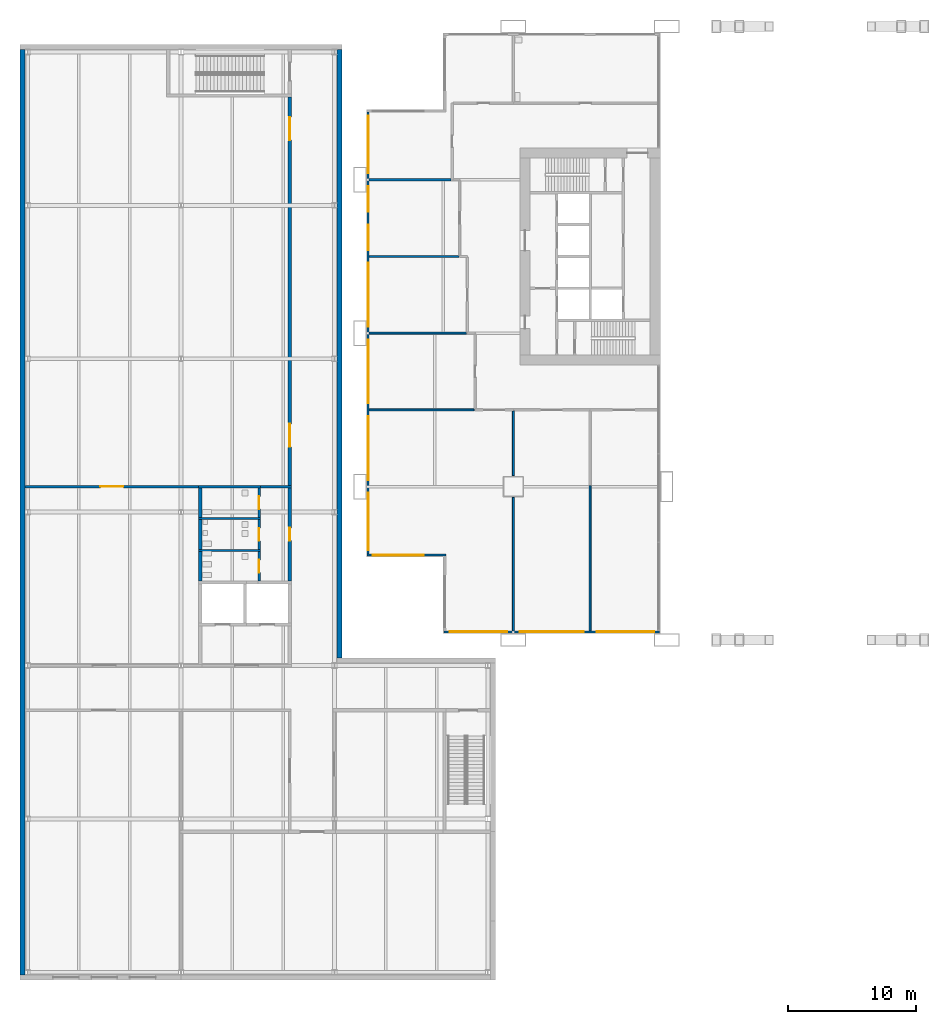
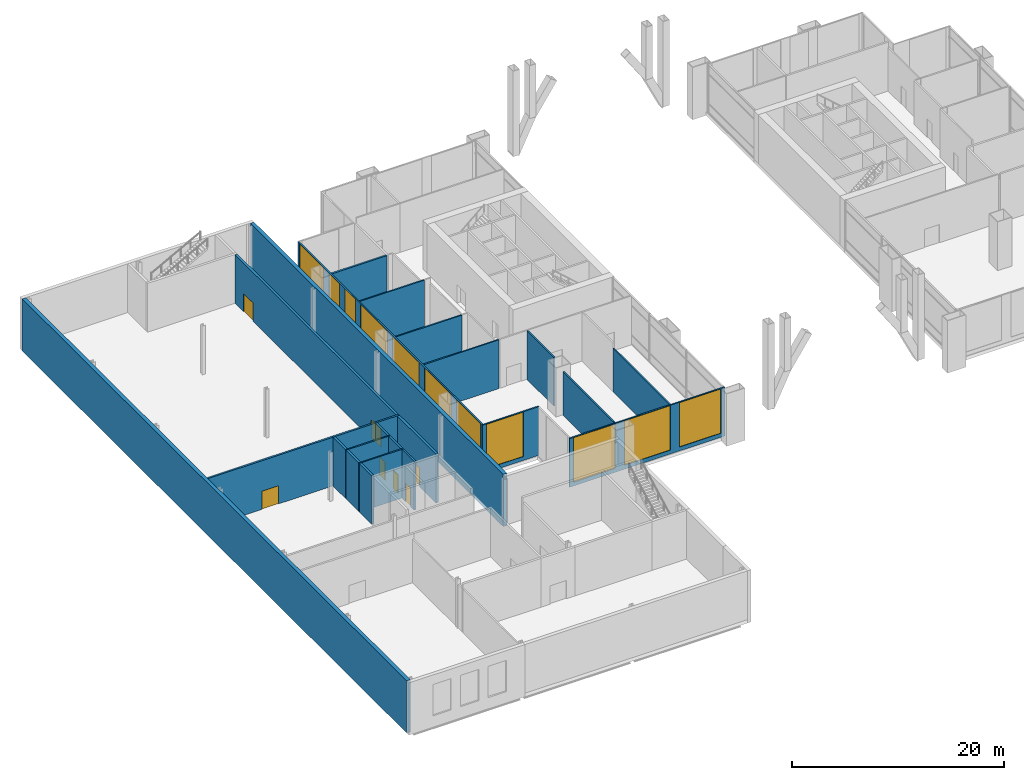
# One storey, part 17 of 25: 25 walls, 11 windows, 7 doors, 18 openings.
"""IFC4 building model written with IfcOpenShell, lengths in metres."""

from ifc_helpers import new_model, si_unit, direction, frame, frame_2d, origin, place, context, subcontext, project, spatial, rectangle, extrude, material, layer, layer_set, type_object, element, fill, save


model = new_model("IFC4")

# Units and contexts
model_context = context("Model", 3, precision=1e-05, world=origin(), true_north=direction((0.0, 1.0)))
body_context = subcontext(model_context, "Body", "Model", "MODEL_VIEW")
ifc_project = project(units=[si_unit("LENGTHUNIT", "METRE"), si_unit("AREAUNIT", "SQUARE_METRE"), si_unit("VOLUMEUNIT", "CUBIC_METRE"), si_unit("PLANEANGLEUNIT", "RADIAN"), si_unit("MASSUNIT", "GRAM", prefix="KILO")], contexts=[model_context])

# Site, building, storey
site_placement = place(None, origin())
site = spatial("IfcSite", under=ifc_project, at=site_placement, CompositionType="ELEMENT")
building_placement = place(site_placement, origin())
building = spatial("IfcBuilding", under=site, at=building_placement, Name="Kitamizu Gate Tower and Museum", CompositionType="ELEMENT")
storey_placement = place(building_placement, frame((0.0, 0.0, 12.0)))
storey = spatial("IfcBuildingStorey", under=building, at=storey_placement, Name="L02", CompositionType="ELEMENT", Elevation=12.0)

# Walls
ifc_material_1 = material(Name="Concrete Fc30 precast", Category="concrete")
ifc_layer_1 = layer(ifc_material_1, 0.39990234375)
ifc_layer_set_1 = layer_set([ifc_layer_1], Name="Concrete Fc30 precast")
wall_type_1 = type_object("IfcWallType", Name="Museum cladding wall 400", PredefinedType="STANDARD", material=ifc_layer_set_1)
wall_1_placement = place(storey_placement, frame((-26.39990234375, -26.199951171875, -0.39990234375), z_axis=(0.0, 0.0, 1.0), x_axis=(0.0, 1.0, 0.0)))
element("IfcWall", 1, at=wall_1_placement, inside=storey, type_object=wall_type_1, Name="Cladding wall L02.5", PredefinedType="STANDARD", context=body_context, shape_type="SweptSolid", body=[
    extrude(rectangle(XDim=72.39990234375, YDim=0.39990234375, at=frame_2d((36.199951171875, 0.0))), origin(), (0.0, 0.0, 1.0), 6.0),
])
wall_2_placement = place(storey_placement, frame((-1.60009765625, -1.39990234375, -0.39990234375), z_axis=(0.0, 0.0, 1.0), x_axis=(0.0, 1.0, 0.0)))
element("IfcWall", 2, at=wall_2_placement, inside=storey, type_object=wall_type_1, Name="Cladding wall L02.8", PredefinedType="STANDARD", context=body_context, shape_type="SweptSolid", body=[
    extrude(rectangle(XDim=47.599853515625, YDim=0.39990234375, at=frame_2d((23.7998046875, 0.0))), origin(), (0.0, 0.0, 1.0), 6.0),
])

# Wall, opening, door
ifc_material_2 = material(Name="Gypsum board on galvanised stud")
ifc_layer_2 = layer(ifc_material_2, 0.199951171875)
ifc_layer_set_2 = layer_set([ifc_layer_2], Name="Gypsum board on galvanised stud")
wall_type_2 = type_object("IfcWallType", Name="Museum fire rated partition 200", PredefinedType="PARTITIONING", material=ifc_layer_set_2)
wall_3_placement = place(storey_placement, frame((-7.89990234375, 9.574951171875, 0.0), z_axis=(0.0, 0.0, 1.0), x_axis=(0.0, 1.0, 0.0)))
wall_3 = element("IfcWall", 3, at=wall_3_placement, inside=storey, type_object=wall_type_2, Name="Fire-rated partition L02.35.1", PredefinedType="PARTITIONING", context=body_context, shape_type="SweptSolid", body=[
    extrude(rectangle(XDim=2.324951171875, YDim=0.199951171875, at=frame_2d((1.16259765625, 0.0))), origin(), (0.0, 0.0, 1.0), 5.60009765625),
])
opening_1_placement = place(wall_3_placement, frame((0.6630859375, 0.0, 0.0)))
opening_1 = element("IfcOpeningElement", 4, at=opening_1_placement, cuts=wall_3, Name="Opening MUS-L02-009", PredefinedType="OPENING", context=body_context, shape_type="SweptSolid", body=[
    extrude(rectangle(XDim=1.0, YDim=2.10009765625, at=frame_2d((0.5, 1.050048828125))), frame((0.0, 0.10986328125, 0.0), z_axis=(0.0, -1.0, 0.0), x_axis=(1.0, 0.0, 0.0)), (0.0, 0.0, 1.0), 0.219970703125),
])
ifc_material_3 = material(Name="Timber leaf in hollow metal frame", Category="wood")
door_type_1 = type_object("IfcDoorType", Name="Museum door 1000x2100 FD60", OperationType="NOTDEFINED", PredefinedType="DOOR", material=ifc_material_3)
door_1_placement = place(opening_1_placement, origin())
door_1 = element("IfcDoor", 5, at=door_1_placement, inside=storey, type_object=door_type_1, Name="Door Accessible WC", OperationType="SINGLE_SWING_RIGHT", OverallHeight=2.10009765625, OverallWidth=1.0, PredefinedType="DOOR", context=body_context, shape_type="SweptSolid", body=[
    extrude(rectangle(XDim=1.0, YDim=2.10009765625, at=frame_2d((0.5, 1.050048828125))), frame((0.0, 0.02490234375, 0.0), z_axis=(0.0, -1.0, 0.0), x_axis=(1.0, 0.0, 0.0)), (0.0, 0.0, 1.0), 0.050048828125),
])
fill(opening_1, door_1)

# Wall
wall_4_placement = place(storey_placement, frame((-7.800048828125, 12.0, 0.0), z_axis=(0.0, 0.0, 1.0), x_axis=(1.0, 0.0, 0.0)))
element("IfcWall", 6, at=wall_4_placement, inside=storey, type_object=wall_type_2, Name="Fire-rated partition L02.36.1", PredefinedType="PARTITIONING", context=body_context, shape_type="SweptSolid", body=[
    extrude(rectangle(XDim=2.425048828125, YDim=0.199951171875, at=frame_2d((1.21240234375, 0.0))), origin(), (0.0, 0.0, 1.0), 5.60009765625),
])

# Wall, opening, door
wall_5_placement = place(storey_placement, frame((-7.89990234375, 7.074951171875, 0.0), z_axis=(0.0, 0.0, 1.0), x_axis=(0.0, 1.0, 0.0)))
wall_5 = element("IfcWall", 7, at=wall_5_placement, inside=storey, type_object=wall_type_2, Name="Fire-rated partition L02.37.1", PredefinedType="PARTITIONING", context=body_context, shape_type="SweptSolid", body=[
    extrude(rectangle(XDim=2.35009765625, YDim=0.199951171875, at=frame_2d((1.175048828125, 0.0))), origin(), (0.0, 0.0, 1.0), 5.60009765625),
])
opening_2_placement = place(wall_5_placement, frame((0.675048828125, 0.0, 0.0)))
opening_2 = element("IfcOpeningElement", 8, at=opening_2_placement, cuts=wall_5, Name="Opening MUS-L02-008", PredefinedType="OPENING", context=body_context, shape_type="SweptSolid", body=[
    extrude(rectangle(XDim=1.0, YDim=2.10009765625, at=frame_2d((0.5, 1.050048828125))), frame((0.0, 0.10986328125, 0.0), z_axis=(0.0, -1.0, 0.0), x_axis=(1.0, 0.0, 0.0)), (0.0, 0.0, 1.0), 0.219970703125),
])
door_2_placement = place(opening_2_placement, origin())
door_2 = element("IfcDoor", 9, at=door_2_placement, inside=storey, type_object=door_type_1, Name="Door Men WC", OperationType="SINGLE_SWING_LEFT", OverallHeight=2.10009765625, OverallWidth=1.0, PredefinedType="DOOR", context=body_context, shape_type="SweptSolid", body=[
    extrude(rectangle(XDim=1.0, YDim=2.10009765625, at=frame_2d((0.5, 1.050048828125))), frame((0.0, 0.02490234375, 0.0), z_axis=(0.0, -1.0, 0.0), x_axis=(1.0, 0.0, 0.0)), (0.0, 0.0, 1.0), 0.050048828125),
])
fill(opening_2, door_2)

wall_6_placement = place(storey_placement, frame((-7.89990234375, 4.625, 0.0), z_axis=(0.0, 0.0, 1.0), x_axis=(0.0, 1.0, 0.0)))
wall_6 = element("IfcWall", 10, at=wall_6_placement, inside=storey, type_object=wall_type_2, Name="Fire-rated partition L02.38.1", PredefinedType="PARTITIONING", context=body_context, shape_type="SweptSolid", body=[
    extrude(rectangle(XDim=2.300048828125, YDim=0.199951171875, at=frame_2d((1.14990234375, 0.0))), origin(), (0.0, 0.0, 1.0), 5.60009765625),
])
opening_3_placement = place(wall_6_placement, frame((0.64990234375, 0.0, 0.0)))
opening_3 = element("IfcOpeningElement", 11, at=opening_3_placement, cuts=wall_6, Name="Opening MUS-L02-007", PredefinedType="OPENING", context=body_context, shape_type="SweptSolid", body=[
    extrude(rectangle(XDim=1.0, YDim=2.10009765625, at=frame_2d((0.5, 1.050048828125))), frame((0.0, 0.10986328125, 0.0), z_axis=(0.0, -1.0, 0.0), x_axis=(1.0, 0.0, 0.0)), (0.0, 0.0, 1.0), 0.219970703125),
])
door_3_placement = place(opening_3_placement, origin())
door_3 = element("IfcDoor", 12, at=door_3_placement, inside=storey, type_object=door_type_1, Name="Door Women WC", OperationType="SINGLE_SWING_RIGHT", OverallHeight=2.10009765625, OverallWidth=1.0, PredefinedType="DOOR", context=body_context, shape_type="SweptSolid", body=[
    extrude(rectangle(XDim=1.0, YDim=2.10009765625, at=frame_2d((0.5, 1.050048828125))), frame((0.0, 0.02490234375, 0.0), z_axis=(0.0, -1.0, 0.0), x_axis=(1.0, 0.0, 0.0)), (0.0, 0.0, 1.0), 0.050048828125),
])
fill(opening_3, door_3)

# Wall, openings, doors
ifc_material_4 = material(Name="Gypsum board on galvanised stud")
ifc_layer_3 = layer(ifc_material_4, 0.25)
ifc_layer_set_3 = layer_set([ifc_layer_3], Name="Gypsum board on galvanised stud")
wall_type_3 = type_object("IfcWallType", Name="Museum fire rated partition 250", PredefinedType="PARTITIONING", material=ifc_layer_set_3)
wall_7_placement = place(storey_placement, frame((-5.5, 12.10009765625, 0.0), z_axis=(0.0, 0.0, 1.0), x_axis=(0.0, 1.0, 0.0)))
wall_7 = element("IfcWall", 13, at=wall_7_placement, inside=storey, type_object=wall_type_3, Name="Fire-rated partition L02.3.1", PredefinedType="PARTITIONING", context=body_context, shape_type="SweptSolid", body=[
    extrude(rectangle(XDim=30.375, YDim=0.25, at=frame_2d((15.1875, 0.0))), origin(), (0.0, 0.0, 1.0), 5.60009765625),
])
opening_4_placement = place(wall_7_placement, frame((3.0, 0.0, 0.0)))
opening_4 = element("IfcOpeningElement", 14, at=opening_4_placement, cuts=wall_7, Name="Opening MUS-L02-016", PredefinedType="OPENING", context=body_context, shape_type="SweptSolid", body=[
    extrude(rectangle(XDim=1.800048828125, YDim=2.10009765625, at=frame_2d((0.89990234375, 1.050048828125))), frame((0.0, 0.135009765625, 0.0), z_axis=(0.0, -1.0, 0.0), x_axis=(1.0, 0.0, 0.0)), (0.0, 0.0, 1.0), 0.27001953125),
])
opening_5_placement = place(wall_7_placement, frame((27.0, 0.0, 0.0)))
opening_5 = element("IfcOpeningElement", 15, at=opening_5_placement, cuts=wall_7, Name="Opening MUS-L02-017", PredefinedType="OPENING", context=body_context, shape_type="SweptSolid", body=[
    extrude(rectangle(XDim=1.800048828125, YDim=2.10009765625, at=frame_2d((0.89990234375, 1.050048828125))), frame((0.0, 0.135009765625, 0.0), z_axis=(0.0, -1.0, 0.0), x_axis=(1.0, 0.0, 0.0)), (0.0, 0.0, 1.0), 0.27001953125),
])
ifc_material_5 = material(Name="Timber leaf in hollow metal frame", Category="wood")
door_type_2 = type_object("IfcDoorType", Name="Museum door 1800x2100 FD60", OperationType="DOUBLE_DOOR_SINGLE_SWING", PredefinedType="DOOR", material=ifc_material_5)
door_4_placement = place(opening_4_placement, origin())
door_4 = element("IfcDoor", 16, at=door_4_placement, inside=storey, type_object=door_type_2, Name="Door Auditorium", OperationType="DOUBLE_DOOR_SINGLE_SWING", OverallHeight=2.10009765625, OverallWidth=1.800048828125, PredefinedType="DOOR", context=body_context, shape_type="SweptSolid", body=[
    extrude(rectangle(XDim=1.800048828125, YDim=2.10009765625, at=frame_2d((0.89990234375, 1.050048828125))), frame((0.0, 0.02490234375, 0.0), z_axis=(0.0, -1.0, 0.0), x_axis=(1.0, 0.0, 0.0)), (0.0, 0.0, 1.0), 0.050048828125),
])
fill(opening_4, door_4)
door_5_placement = place(opening_5_placement, origin())
door_5 = element("IfcDoor", 17, at=door_5_placement, inside=storey, type_object=door_type_2, Name="Door Auditorium", OperationType="DOUBLE_DOOR_SINGLE_SWING", OverallHeight=2.10009765625, OverallWidth=1.800048828125, PredefinedType="DOOR", context=body_context, shape_type="SweptSolid", body=[
    extrude(rectangle(XDim=1.800048828125, YDim=2.10009765625, at=frame_2d((0.89990234375, 1.050048828125))), frame((0.0, 0.02490234375, 0.0), z_axis=(0.0, -1.0, 0.0), x_axis=(1.0, 0.0, 0.0)), (0.0, 0.0, 1.0), 0.050048828125),
])
fill(opening_5, door_5)

# Wall, opening, door
wall_8_placement = place(storey_placement, frame((-5.5, 4.625, 0.0), z_axis=(0.0, 0.0, 1.0), x_axis=(0.0, 1.0, 0.0)))
wall_8 = element("IfcWall", 18, at=wall_8_placement, inside=storey, type_object=wall_type_3, Name="Fire-rated partition L02.14.1", PredefinedType="PARTITIONING", context=body_context, shape_type="SweptSolid", body=[
    extrude(rectangle(XDim=7.27490234375, YDim=0.25, at=frame_2d((3.637451171875, 0.0))), origin(), (0.0, 0.0, 1.0), 5.60009765625),
])
opening_6_placement = place(wall_8_placement, frame((3.137939453125, 0.0, 0.0)))
opening_6 = element("IfcOpeningElement", 19, at=opening_6_placement, cuts=wall_8, Name="Opening MUS-L02-006", PredefinedType="OPENING", context=body_context, shape_type="SweptSolid", body=[
    extrude(rectangle(XDim=1.0, YDim=2.10009765625, at=frame_2d((0.5, 1.050048828125))), frame((0.0, 0.135009765625, 0.0), z_axis=(0.0, -1.0, 0.0), x_axis=(1.0, 0.0, 0.0)), (0.0, 0.0, 1.0), 0.27001953125),
])
door_6_placement = place(opening_6_placement, origin())
door_6 = element("IfcDoor", 20, at=door_6_placement, inside=storey, type_object=door_type_1, Name="Door WC lobby", OperationType="SINGLE_SWING_LEFT", OverallHeight=2.10009765625, OverallWidth=1.0, PredefinedType="DOOR", context=body_context, shape_type="SweptSolid", body=[
    extrude(rectangle(XDim=1.0, YDim=2.10009765625, at=frame_2d((0.5, 1.050048828125))), frame((0.0, 0.02490234375, 0.0), z_axis=(0.0, -1.0, 0.0), x_axis=(1.0, 0.0, 0.0)), (0.0, 0.0, 1.0), 0.050048828125),
])
fill(opening_6, door_6)

# Walls
ifc_material_6 = material(Name="Gypsum board on galvanised stud")
ifc_layer_4 = layer(ifc_material_6, 0.14990234375)
ifc_layer_set_4 = layer_set([ifc_layer_4], Name="Gypsum board on galvanised stud")
wall_type_4 = type_object("IfcWallType", Name="Museum partition 150", PredefinedType="PARTITIONING", material=ifc_layer_set_4)
for number, where, z_axis, x_axis, name in (
    (21, (-12.625, 9.5, 0.0), (0.0, 0.0, 1.0), (1.0, 0.0, 0.0), "Partition L02.21.1"),
    (22, (-12.625, 7.0, 0.0), (0.0, 0.0, 1.0), (1.0, 0.0, 0.0), "Partition L02.40.1"),
):
    element("IfcWall", number, at=place(storey_placement, frame(where, z_axis=z_axis, x_axis=x_axis)), inside=storey, type_object=wall_type_4, Name=name, PredefinedType="PARTITIONING", context=body_context, shape_type="SweptSolid", body=[
        extrude(rectangle(XDim=4.824951171875, YDim=0.14990234375, at=frame_2d((2.41259765625, 0.0))), origin(), (0.0, 0.0, 1.0), 5.60009765625),
    ])
ifc_material_7 = material(Name="Gypsum board on galvanised stud")
ifc_layer_5 = layer(ifc_material_7, 0.199951171875)
ifc_layer_set_5 = layer_set([ifc_layer_5], Name="Gypsum board on galvanised stud")
wall_type_5 = type_object("IfcWallType", Name="Museum partition 200", PredefinedType="PARTITIONING", material=ifc_layer_set_5)
wall_9_placement = place(storey_placement, frame((-12.625, 12.0, 0.0), z_axis=(0.0, 0.0, 1.0), x_axis=(1.0, 0.0, 0.0)))
element("IfcWall", 23, at=wall_9_placement, inside=storey, type_object=wall_type_5, Name="Partition L02.0.1", PredefinedType="PARTITIONING", context=body_context, shape_type="SweptSolid", body=[
    extrude(rectangle(XDim=4.824951171875, YDim=0.199951171875, at=frame_2d((2.41259765625, 0.0))), origin(), (0.0, 0.0, 1.0), 5.60009765625),
])

# Wall, opening, door
wall_10_placement = place(storey_placement, frame((-26.199951171875, 12.0, 0.0), z_axis=(0.0, 0.0, 1.0), x_axis=(1.0, 0.0, 0.0)))
wall_10 = element("IfcWall", 24, at=wall_10_placement, inside=storey, type_object=wall_type_5, Name="Partition L02.2.1", PredefinedType="PARTITIONING", context=body_context, shape_type="SweptSolid", body=[
    extrude(rectangle(XDim=13.574951171875, YDim=0.199951171875, at=frame_2d((6.78759765625, 0.0))), origin(), (0.0, 0.0, 1.0), 5.60009765625),
])
opening_7_placement = place(wall_10_placement, frame((5.886962890625, 0.0, 0.0)))
opening_7 = element("IfcOpeningElement", 25, at=opening_7_placement, cuts=wall_10, Name="Opening MUS-L02-015", PredefinedType="OPENING", context=body_context, shape_type="SweptSolid", body=[
    extrude(rectangle(XDim=1.800048828125, YDim=2.10009765625, at=frame_2d((0.89990234375, 1.050048828125))), frame((0.0, 0.10986328125, 0.0), z_axis=(0.0, -1.0, 0.0), x_axis=(1.0, 0.0, 0.0)), (0.0, 0.0, 1.0), 0.219970703125),
])
ifc_material_8 = material(Name="Timber leaf in hollow metal frame", Category="wood")
door_type_3 = type_object("IfcDoorType", Name="Museum door 1800x2100", OperationType="DOUBLE_DOOR_SINGLE_SWING", PredefinedType="DOOR", material=ifc_material_8)
door_7_placement = place(opening_7_placement, origin())
door_7 = element("IfcDoor", 26, at=door_7_placement, inside=storey, type_object=door_type_3, Name="Door Auditorium foyer", OperationType="DOUBLE_DOOR_SINGLE_SWING", OverallHeight=2.10009765625, OverallWidth=1.800048828125, PredefinedType="DOOR", context=body_context, shape_type="SweptSolid", body=[
    extrude(rectangle(XDim=1.800048828125, YDim=2.10009765625, at=frame_2d((0.89990234375, 1.050048828125))), frame((0.0, 0.02490234375, 0.0), z_axis=(0.0, -1.0, 0.0), x_axis=(1.0, 0.0, 0.0)), (0.0, 0.0, 1.0), 0.050048828125),
])
fill(opening_7, door_7)

# Walls
ifc_material_9 = material(Name="Gypsum board on galvanised stud")
ifc_layer_6 = layer(ifc_material_9, 0.25)
ifc_layer_set_6 = layer_set([ifc_layer_6], Name="Gypsum board on galvanised stud")
wall_type_6 = type_object("IfcWallType", Name="Museum partition 250", PredefinedType="PARTITIONING", material=ifc_layer_set_6)
wall_11_placement = place(storey_placement, frame((-12.5, 9.574951171875, 0.0), z_axis=(0.0, 0.0, 1.0), x_axis=(0.0, 1.0, 0.0)))
element("IfcWall", 27, at=wall_11_placement, inside=storey, type_object=wall_type_6, Name="Partition L02.1.1", PredefinedType="PARTITIONING", context=body_context, shape_type="SweptSolid", body=[
    extrude(rectangle(XDim=2.324951171875, YDim=0.25, at=frame_2d((1.16259765625, 0.0))), origin(), (0.0, 0.0, 1.0), 5.60009765625),
])
wall_12_placement = place(storey_placement, frame((-12.5, 7.074951171875, 0.0), z_axis=(0.0, 0.0, 1.0), x_axis=(0.0, 1.0, 0.0)))
element("IfcWall", 28, at=wall_12_placement, inside=storey, type_object=wall_type_6, Name="Partition L02.22.1", PredefinedType="PARTITIONING", context=body_context, shape_type="SweptSolid", body=[
    extrude(rectangle(XDim=2.35009765625, YDim=0.25, at=frame_2d((1.175048828125, 0.0))), origin(), (0.0, 0.0, 1.0), 5.60009765625),
])
wall_13_placement = place(storey_placement, frame((-12.5, 4.625, 0.0), z_axis=(0.0, 0.0, 1.0), x_axis=(0.0, 1.0, 0.0)))
element("IfcWall", 29, at=wall_13_placement, inside=storey, type_object=wall_type_6, Name="Partition L02.39.1", PredefinedType="PARTITIONING", context=body_context, shape_type="SweptSolid", body=[
    extrude(rectangle(XDim=2.300048828125, YDim=0.25, at=frame_2d((1.14990234375, 0.0))), origin(), (0.0, 0.0, 1.0), 5.60009765625),
])
ifc_material_10 = material(Name="Gypsum board on galvanised stud")
ifc_layer_7 = layer(ifc_material_10, 0.14990234375)
ifc_layer_set_7 = layer_set([ifc_layer_7], Name="Gypsum board on galvanised stud")
wall_type_7 = type_object("IfcWallType", Name="Partition 150", PredefinedType="PARTITIONING", material=ifc_layer_set_7)
wall_14_placement = place(storey_placement, frame((12.0, 0.719970703125, 0.0), z_axis=(0.0, 0.0, 1.0), x_axis=(0.0, 1.0, 0.0)))
element("IfcWall", 30, at=wall_14_placement, inside=storey, type_object=wall_type_7, Name="Partition L02-031", PredefinedType="PARTITIONING", context=body_context, shape_type="SweptSolid", body=[
    extrude(rectangle(XDim=10.429931640625, YDim=0.14990234375, at=frame_2d((5.21484375, 0.0))), origin(), (0.0, 0.0, 1.0), 5.0),
])
wall_15_placement = place(storey_placement, frame((12.0, 12.85009765625, 0.0), z_axis=(0.0, 0.0, 1.0), x_axis=(0.0, 1.0, 0.0)))
element("IfcWall", 31, at=wall_15_placement, inside=storey, type_object=wall_type_7, Name="Partition L02-032", PredefinedType="PARTITIONING", context=body_context, shape_type="SweptSolid", body=[
    extrude(rectangle(XDim=5.074951171875, YDim=0.14990234375, at=frame_2d((2.53759765625, 0.0))), origin(), (0.0, 0.0, 1.0), 5.60009765625),
])
wall_16_placement = place(storey_placement, frame((8.925048828125, 18.0, 0.0), z_axis=(0.0, 0.0, 1.0), x_axis=(-1.0, 0.0, 0.0)))
element("IfcWall", 32, at=wall_16_placement, inside=storey, type_object=wall_type_7, Name="Partition L02-033", PredefinedType="PARTITIONING", context=body_context, shape_type="SweptSolid", body=[
    extrude(rectangle(XDim=8.205078125, YDim=0.14990234375, at=frame_2d((4.1025390625, 0.0))), origin(), (0.0, 0.0, 1.0), 5.60009765625),
])
wall_17_placement = place(storey_placement, frame((18.0, 0.719970703125, 0.0), z_axis=(0.0, 0.0, 1.0), x_axis=(0.0, 1.0, 0.0)))
element("IfcWall", 33, at=wall_17_placement, inside=storey, type_object=wall_type_7, Name="Partition L02-034", PredefinedType="PARTITIONING", context=body_context, shape_type="SweptSolid", body=[
    extrude(rectangle(XDim=11.380126953125, YDim=0.14990234375, at=frame_2d((5.68994140625, 0.0))), origin(), (0.0, 0.0, 1.0), 5.0),
])
wall_18_placement = place(storey_placement, frame((8.324951171875, 24.0, 0.0), z_axis=(0.0, 0.0, 1.0), x_axis=(-1.0, 0.0, 0.0)))
element("IfcWall", 34, at=wall_18_placement, inside=storey, type_object=wall_type_7, Name="Partition L02-036", PredefinedType="PARTITIONING", context=body_context, shape_type="SweptSolid", body=[
    extrude(rectangle(XDim=7.60498046875, YDim=0.14990234375, at=frame_2d((3.802490234375, 0.0))), origin(), (0.0, 0.0, 1.0), 5.0),
])
wall_19_placement = place(storey_placement, frame((7.72509765625, 30.0, 0.0), z_axis=(0.0, 0.0, 1.0), x_axis=(-1.0, 0.0, 0.0)))
element("IfcWall", 35, at=wall_19_placement, inside=storey, type_object=wall_type_7, Name="Partition L02-037", PredefinedType="PARTITIONING", context=body_context, shape_type="SweptSolid", body=[
    extrude(rectangle(XDim=7.005126953125, YDim=0.14990234375, at=frame_2d((3.50244140625, 0.0))), origin(), (0.0, 0.0, 1.0), 5.60009765625),
])
ifc_material_11 = material(Name="Gypsum board on galvanised stud")
ifc_layer_8 = layer(ifc_material_11, 0.199951171875)
ifc_layer_set_8 = layer_set([ifc_layer_8], Name="Gypsum board on galvanised stud")
wall_type_8 = type_object("IfcWallType", Name="Partition 200", PredefinedType="PARTITIONING", material=ifc_layer_set_8)
wall_20_placement = place(storey_placement, frame((7.10009765625, 36.0, 0.0), z_axis=(0.0, 0.0, 1.0), x_axis=(-1.0, 0.0, 0.0)))
element("IfcWall", 36, at=wall_20_placement, inside=storey, type_object=wall_type_8, Name="Partition L02-038", PredefinedType="PARTITIONING", context=body_context, shape_type="SweptSolid", body=[
    extrude(rectangle(XDim=6.380126953125, YDim=0.199951171875, at=frame_2d((3.18994140625, 0.0))), origin(), (0.0, 0.0, 1.0), 5.0),
])

# Wall, openings, windows
ifc_material_12 = material(Name="Bronze anodised aluminium frame with insulated spandrel and tinted glass", Category="aluminium")
ifc_layer_9 = layer(ifc_material_12, 0.14990234375)
ifc_layer_set_9 = layer_set([ifc_layer_9], Name="Bronze anodised aluminium frame with insulated spandrel and tinted glass")
wall_type_9 = type_object("IfcWallType", Name="WINDOW WALL 150 BRONZE FRAME EI 60", PredefinedType="ELEMENTEDWALL", material=ifc_layer_set_9)
wall_21_placement = place(storey_placement, frame((6.56005859375, 0.635009765625, 0.0), z_axis=(0.0, 0.0, 1.0), x_axis=(1.0, 0.0, 0.0)))
wall_21 = element("IfcWall", 37, at=wall_21_placement, inside=storey, type_object=wall_type_9, Name="Window wall south L02", PredefinedType="ELEMENTEDWALL", context=body_context, shape_type="SweptSolid", body=[
    extrude(rectangle(XDim=16.8798828125, YDim=0.14990234375, at=frame_2d((8.43994140625, 0.0))), origin(), (0.0, 0.0, 1.0), 5.60009765625),
])
opening_8_placement = place(wall_21_placement, frame((0.43994140625, 0.0, 0.449951171875)))
opening_8 = element("IfcOpeningElement", 38, at=opening_8_placement, cuts=wall_21, Name="Opening W21", PredefinedType="OPENING", context=body_context, shape_type="SweptSolid", body=[
    extrude(rectangle(XDim=4.5, YDim=5.10009765625, at=frame_2d((2.25, 2.550048828125))), frame((0.0, 0.0849609375, 0.0), z_axis=(0.0, -1.0, 0.0), x_axis=(1.0, 0.0, 0.0)), (0.0, 0.0, 1.0), 0.169921875),
])
opening_9_placement = place(wall_21_placement, frame((5.93994140625, 0.0, 0.449951171875)))
opening_9 = element("IfcOpeningElement", 39, at=opening_9_placement, cuts=wall_21, Name="Opening W7", PredefinedType="OPENING", context=body_context, shape_type="SweptSolid", body=[
    extrude(rectangle(XDim=5.0, YDim=5.10009765625, at=frame_2d((2.5, 2.550048828125))), frame((0.0, 0.0849609375, 0.0), z_axis=(0.0, -1.0, 0.0), x_axis=(1.0, 0.0, 0.0)), (0.0, 0.0, 1.0), 0.169921875),
])
opening_10_placement = place(wall_21_placement, frame((11.93994140625, 0.0, 0.449951171875)))
opening_10 = element("IfcOpeningElement", 40, at=opening_10_placement, cuts=wall_21, Name="Opening W21", PredefinedType="OPENING", context=body_context, shape_type="SweptSolid", body=[
    extrude(rectangle(XDim=4.5, YDim=5.10009765625, at=frame_2d((2.25, 2.550048828125))), frame((0.0, 0.0849609375, 0.0), z_axis=(0.0, -1.0, 0.0), x_axis=(1.0, 0.0, 0.0)), (0.0, 0.0, 1.0), 0.169921875),
])
ifc_material_13 = material(Name="Bronze anodised aluminium frame, tinted triple glazing", Category="aluminium")
window_type_1 = type_object("IfcWindowType", Name="WINDOW 4500 x 5100 SILL 450", PartitioningType="SINGLE_PANEL", PredefinedType="WINDOW", material=ifc_material_13)
window_1_placement = place(opening_8_placement, origin())
window_1 = element("IfcWindow", 41, at=window_1_placement, inside=storey, type_object=window_type_1, Name="Window W21 L02", OverallHeight=5.10009765625, OverallWidth=4.5, PartitioningType="SINGLE_PANEL", PredefinedType="WINDOW", context=body_context, shape_type="SweptSolid", body=[
    extrude(rectangle(XDim=4.5, YDim=5.10009765625, at=frame_2d((2.25, 2.550048828125))), frame((0.0, 0.030029296875, 0.0), z_axis=(0.0, -1.0, 0.0), x_axis=(1.0, 0.0, 0.0)), (0.0, 0.0, 1.0), 0.06005859375),
])
fill(opening_8, window_1)
window_2_placement = place(opening_10_placement, origin())
window_2 = element("IfcWindow", 42, at=window_2_placement, inside=storey, type_object=window_type_1, Name="Window W21 L02", OverallHeight=5.10009765625, OverallWidth=4.5, PartitioningType="SINGLE_PANEL", PredefinedType="WINDOW", context=body_context, shape_type="SweptSolid", body=[
    extrude(rectangle(XDim=4.5, YDim=5.10009765625, at=frame_2d((2.25, 2.550048828125))), frame((0.0, 0.030029296875, 0.0), z_axis=(0.0, -1.0, 0.0), x_axis=(1.0, 0.0, 0.0)), (0.0, 0.0, 1.0), 0.06005859375),
])
fill(opening_10, window_2)
ifc_material_14 = material(Name="Bronze anodised aluminium frame, tinted triple glazing", Category="aluminium")
window_type_2 = type_object("IfcWindowType", Name="WINDOW 5000 x 5100 SILL 450", PartitioningType="SINGLE_PANEL", PredefinedType="WINDOW", material=ifc_material_14)
window_3_placement = place(opening_9_placement, origin())
window_3 = element("IfcWindow", 43, at=window_3_placement, inside=storey, type_object=window_type_2, Name="Window W7 L02", OverallHeight=5.10009765625, OverallWidth=5.0, PartitioningType="SINGLE_PANEL", PredefinedType="WINDOW", context=body_context, shape_type="SweptSolid", body=[
    extrude(rectangle(XDim=5.0, YDim=5.10009765625, at=frame_2d((2.5, 2.550048828125))), frame((0.0, 0.030029296875, 0.0), z_axis=(0.0, -1.0, 0.0), x_axis=(1.0, 0.0, 0.0)), (0.0, 0.0, 1.0), 0.06005859375),
])
fill(opening_9, window_3)

wall_22_placement = place(storey_placement, frame((0.635009765625, 6.7099609375, 0.0), z_axis=(0.0, 0.0, 1.0), x_axis=(0.0, 1.0, 0.0)))
wall_22 = element("IfcWall", 44, at=wall_22_placement, inside=storey, type_object=wall_type_9, Name="Window wall west L02", PredefinedType="ELEMENTEDWALL", context=body_context, shape_type="SweptSolid", body=[
    extrude(rectangle(XDim=34.580078125, YDim=0.14990234375, at=frame_2d((17.2900390625, 0.0))), origin(), (0.0, 0.0, 1.0), 5.60009765625),
])
opening_11_placement = place(wall_22_placement, frame((0.2900390625, 0.0, 0.449951171875)))
opening_11 = element("IfcOpeningElement", 45, at=opening_11_placement, cuts=wall_22, Name="Opening W21", PredefinedType="OPENING", context=body_context, shape_type="SweptSolid", body=[
    extrude(rectangle(XDim=4.5, YDim=5.10009765625, at=frame_2d((2.25, 2.550048828125))), frame((0.0, 0.0849609375, 0.0), z_axis=(0.0, -1.0, 0.0), x_axis=(1.0, 0.0, 0.0)), (0.0, 0.0, 1.0), 0.169921875),
])
opening_12_placement = place(wall_22_placement, frame((5.7900390625, 0.0, 0.449951171875)))
opening_12 = element("IfcOpeningElement", 46, at=opening_12_placement, cuts=wall_22, Name="Opening W7", PredefinedType="OPENING", context=body_context, shape_type="SweptSolid", body=[
    extrude(rectangle(XDim=5.0, YDim=5.10009765625, at=frame_2d((2.5, 2.550048828125))), frame((0.0, 0.0849609375, 0.0), z_axis=(0.0, -1.0, 0.0), x_axis=(1.0, 0.0, 0.0)), (0.0, 0.0, 1.0), 0.169921875),
])
opening_13_placement = place(wall_22_placement, frame((11.7900390625, 0.0, 0.449951171875)))
opening_13 = element("IfcOpeningElement", 47, at=opening_13_placement, cuts=wall_22, Name="Opening W7", PredefinedType="OPENING", context=body_context, shape_type="SweptSolid", body=[
    extrude(rectangle(XDim=5.0, YDim=5.10009765625, at=frame_2d((2.5, 2.550048828125))), frame((0.0, 0.0849609375, 0.0), z_axis=(0.0, -1.0, 0.0), x_axis=(1.0, 0.0, 0.0)), (0.0, 0.0, 1.0), 0.169921875),
])
opening_14_placement = place(wall_22_placement, frame((17.7900390625, 0.0, 0.449951171875)))
opening_14 = element("IfcOpeningElement", 48, at=opening_14_placement, cuts=wall_22, Name="Opening W7", PredefinedType="OPENING", context=body_context, shape_type="SweptSolid", body=[
    extrude(rectangle(XDim=5.0, YDim=5.10009765625, at=frame_2d((2.5, 2.550048828125))), frame((0.0, 0.0849609375, 0.0), z_axis=(0.0, -1.0, 0.0), x_axis=(1.0, 0.0, 0.0)), (0.0, 0.0, 1.0), 0.169921875),
])
opening_15_placement = place(wall_22_placement, frame((23.7900390625, 0.0, 0.449951171875)))
opening_15 = element("IfcOpeningElement", 49, at=opening_15_placement, cuts=wall_22, Name="Opening W8", PredefinedType="OPENING", context=body_context, shape_type="SweptSolid", body=[
    extrude(rectangle(XDim=2.0, YDim=5.10009765625, at=frame_2d((1.0, 2.550048828125))), frame((0.0, 0.0849609375, 0.0), z_axis=(0.0, -1.0, 0.0), x_axis=(1.0, 0.0, 0.0)), (0.0, 0.0, 1.0), 0.169921875),
])
opening_16_placement = place(wall_22_placement, frame((26.7900390625, 0.0, 0.449951171875)))
opening_16 = element("IfcOpeningElement", 50, at=opening_16_placement, cuts=wall_22, Name="Opening W8", PredefinedType="OPENING", context=body_context, shape_type="SweptSolid", body=[
    extrude(rectangle(XDim=2.0, YDim=5.10009765625, at=frame_2d((1.0, 2.550048828125))), frame((0.0, 0.0849609375, 0.0), z_axis=(0.0, -1.0, 0.0), x_axis=(1.0, 0.0, 0.0)), (0.0, 0.0, 1.0), 0.169921875),
])
opening_17_placement = place(wall_22_placement, frame((29.7900390625, 0.0, 0.449951171875)))
opening_17 = element("IfcOpeningElement", 51, at=opening_17_placement, cuts=wall_22, Name="Opening W21", PredefinedType="OPENING", context=body_context, shape_type="SweptSolid", body=[
    extrude(rectangle(XDim=4.5, YDim=5.10009765625, at=frame_2d((2.25, 2.550048828125))), frame((0.0, 0.0849609375, 0.0), z_axis=(0.0, -1.0, 0.0), x_axis=(1.0, 0.0, 0.0)), (0.0, 0.0, 1.0), 0.169921875),
])
ifc_material_15 = material(Name="Bronze anodised aluminium frame, tinted triple glazing", Category="aluminium")
window_type_3 = type_object("IfcWindowType", Name="WINDOW 2000 x 5100 SILL 450", PartitioningType="SINGLE_PANEL", PredefinedType="WINDOW", material=ifc_material_15)
window_4_placement = place(opening_15_placement, origin())
window_4 = element("IfcWindow", 52, at=window_4_placement, inside=storey, type_object=window_type_3, Name="Window W8 L02", OverallHeight=5.10009765625, OverallWidth=2.0, PartitioningType="SINGLE_PANEL", PredefinedType="WINDOW", context=body_context, shape_type="SweptSolid", body=[
    extrude(rectangle(XDim=2.0, YDim=5.10009765625, at=frame_2d((1.0, 2.550048828125))), frame((0.0, 0.030029296875, 0.0), z_axis=(0.0, -1.0, 0.0), x_axis=(1.0, 0.0, 0.0)), (0.0, 0.0, 1.0), 0.06005859375),
])
fill(opening_15, window_4)
window_5_placement = place(opening_16_placement, origin())
window_5 = element("IfcWindow", 53, at=window_5_placement, inside=storey, type_object=window_type_3, Name="Window W8 L02", OverallHeight=5.10009765625, OverallWidth=2.0, PartitioningType="SINGLE_PANEL", PredefinedType="WINDOW", context=body_context, shape_type="SweptSolid", body=[
    extrude(rectangle(XDim=2.0, YDim=5.10009765625, at=frame_2d((1.0, 2.550048828125))), frame((0.0, 0.030029296875, 0.0), z_axis=(0.0, -1.0, 0.0), x_axis=(1.0, 0.0, 0.0)), (0.0, 0.0, 1.0), 0.06005859375),
])
fill(opening_16, window_5)
window_6_placement = place(opening_11_placement, origin())
window_6 = element("IfcWindow", 54, at=window_6_placement, inside=storey, type_object=window_type_1, Name="Window W21 L02", OverallHeight=5.10009765625, OverallWidth=4.5, PartitioningType="SINGLE_PANEL", PredefinedType="WINDOW", context=body_context, shape_type="SweptSolid", body=[
    extrude(rectangle(XDim=4.5, YDim=5.10009765625, at=frame_2d((2.25, 2.550048828125))), frame((0.0, 0.030029296875, 0.0), z_axis=(0.0, -1.0, 0.0), x_axis=(1.0, 0.0, 0.0)), (0.0, 0.0, 1.0), 0.06005859375),
])
fill(opening_11, window_6)
window_7_placement = place(opening_17_placement, origin())
window_7 = element("IfcWindow", 55, at=window_7_placement, inside=storey, type_object=window_type_1, Name="Window W21 L02", OverallHeight=5.10009765625, OverallWidth=4.5, PartitioningType="SINGLE_PANEL", PredefinedType="WINDOW", context=body_context, shape_type="SweptSolid", body=[
    extrude(rectangle(XDim=4.5, YDim=5.10009765625, at=frame_2d((2.25, 2.550048828125))), frame((0.0, 0.030029296875, 0.0), z_axis=(0.0, -1.0, 0.0), x_axis=(1.0, 0.0, 0.0)), (0.0, 0.0, 1.0), 0.06005859375),
])
fill(opening_17, window_7)
window_8_placement = place(opening_12_placement, origin())
window_8 = element("IfcWindow", 56, at=window_8_placement, inside=storey, type_object=window_type_2, Name="Window W7 L02", OverallHeight=5.10009765625, OverallWidth=5.0, PartitioningType="SINGLE_PANEL", PredefinedType="WINDOW", context=body_context, shape_type="SweptSolid", body=[
    extrude(rectangle(XDim=5.0, YDim=5.10009765625, at=frame_2d((2.5, 2.550048828125))), frame((0.0, 0.030029296875, 0.0), z_axis=(0.0, -1.0, 0.0), x_axis=(1.0, 0.0, 0.0)), (0.0, 0.0, 1.0), 0.06005859375),
])
fill(opening_12, window_8)
window_9_placement = place(opening_13_placement, origin())
window_9 = element("IfcWindow", 57, at=window_9_placement, inside=storey, type_object=window_type_2, Name="Window W7 L02", OverallHeight=5.10009765625, OverallWidth=5.0, PartitioningType="SINGLE_PANEL", PredefinedType="WINDOW", context=body_context, shape_type="SweptSolid", body=[
    extrude(rectangle(XDim=5.0, YDim=5.10009765625, at=frame_2d((2.5, 2.550048828125))), frame((0.0, 0.030029296875, 0.0), z_axis=(0.0, -1.0, 0.0), x_axis=(1.0, 0.0, 0.0)), (0.0, 0.0, 1.0), 0.06005859375),
])
fill(opening_13, window_9)
window_10_placement = place(opening_14_placement, origin())
window_10 = element("IfcWindow", 58, at=window_10_placement, inside=storey, type_object=window_type_2, Name="Window W7 L02", OverallHeight=5.10009765625, OverallWidth=5.0, PartitioningType="SINGLE_PANEL", PredefinedType="WINDOW", context=body_context, shape_type="SweptSolid", body=[
    extrude(rectangle(XDim=5.0, YDim=5.10009765625, at=frame_2d((2.5, 2.550048828125))), frame((0.0, 0.030029296875, 0.0), z_axis=(0.0, -1.0, 0.0), x_axis=(1.0, 0.0, 0.0)), (0.0, 0.0, 1.0), 0.06005859375),
])
fill(opening_14, window_10)

# Wall, opening, window
wall_23_placement = place(storey_placement, frame((0.56005859375, 6.635009765625, 0.0), z_axis=(0.0, 0.0, 1.0), x_axis=(1.0, 0.0, 0.0)))
wall_23 = element("IfcWall", 59, at=wall_23_placement, inside=storey, type_object=wall_type_9, Name="Window wall south L02", PredefinedType="ELEMENTEDWALL", context=body_context, shape_type="SweptSolid", body=[
    extrude(rectangle(XDim=6.14990234375, YDim=0.14990234375, at=frame_2d((3.074951171875, 0.0))), origin(), (0.0, 0.0, 1.0), 5.60009765625),
])
opening_18_placement = place(wall_23_placement, frame((0.43994140625, 0.0, 0.449951171875)))
opening_18 = element("IfcOpeningElement", 60, at=opening_18_placement, cuts=wall_23, Name="Opening W22", PredefinedType="OPENING", context=body_context, shape_type="SweptSolid", body=[
    extrude(rectangle(XDim=4.0, YDim=5.10009765625, at=frame_2d((2.0, 2.550048828125))), frame((0.0, 0.0849609375, 0.0), z_axis=(0.0, -1.0, 0.0), x_axis=(1.0, 0.0, 0.0)), (0.0, 0.0, 1.0), 0.169921875),
])
ifc_material_16 = material(Name="Bronze anodised aluminium frame, tinted triple glazing", Category="aluminium")
window_type_4 = type_object("IfcWindowType", Name="WINDOW 4000 x 5100 SILL 450", PartitioningType="SINGLE_PANEL", PredefinedType="WINDOW", material=ifc_material_16)
window_11_placement = place(opening_18_placement, origin())
window_11 = element("IfcWindow", 61, at=window_11_placement, inside=storey, type_object=window_type_4, Name="Window W22 L02", OverallHeight=5.10009765625, OverallWidth=4.0, PartitioningType="SINGLE_PANEL", PredefinedType="WINDOW", context=body_context, shape_type="SweptSolid", body=[
    extrude(rectangle(XDim=4.0, YDim=5.10009765625, at=frame_2d((2.0, 2.550048828125))), frame((0.0, 0.030029296875, 0.0), z_axis=(0.0, -1.0, 0.0), x_axis=(1.0, 0.0, 0.0)), (0.0, 0.0, 1.0), 0.06005859375),
])
fill(opening_18, window_11)

save(model, "model.ifc")
